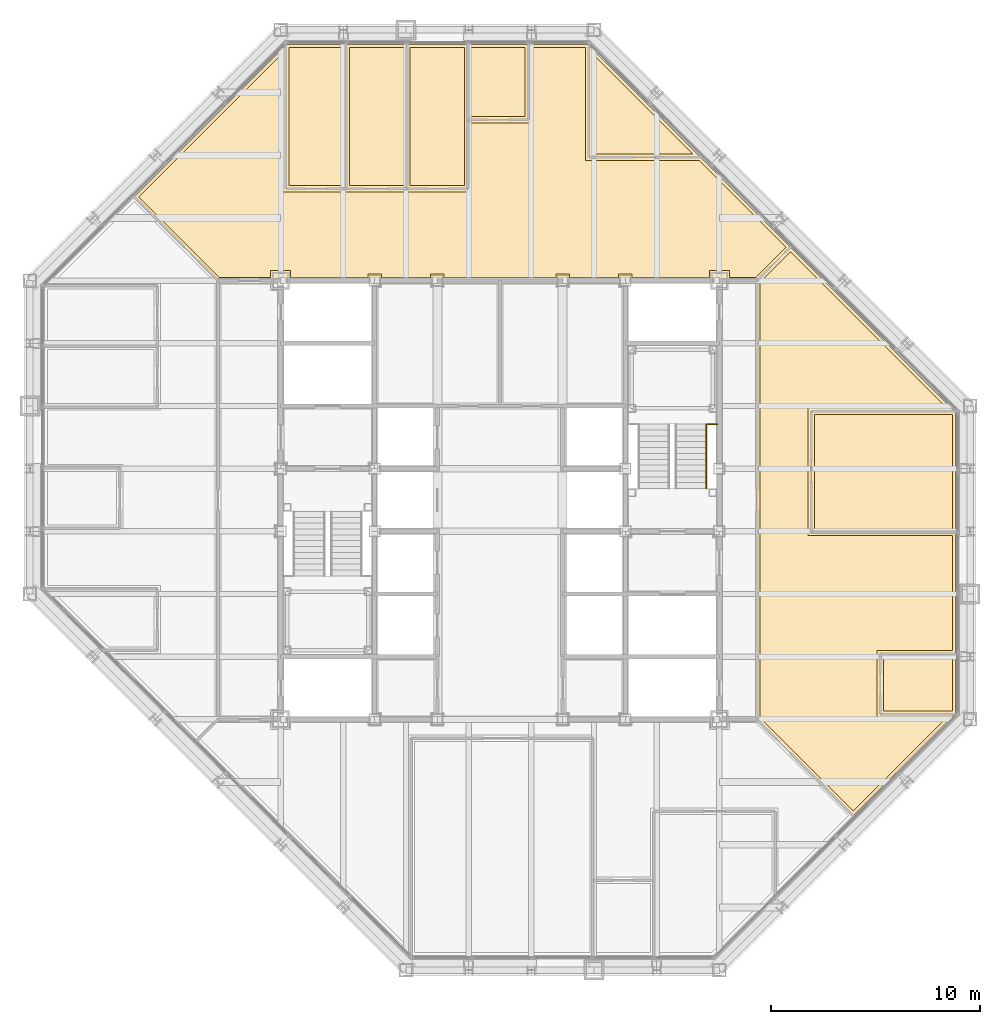
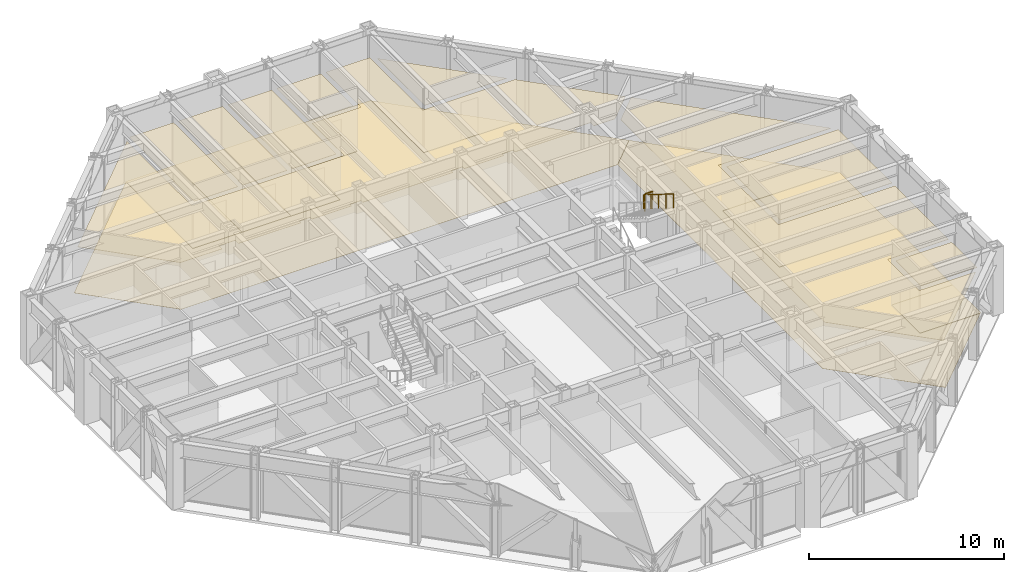
# One storey, part 16 of 16: 18 coverings, 2 railings.
"""IFC4 building model written with IfcOpenShell, lengths in metres."""

from ifc_helpers import new_model, si_unit, direction, frame, origin, origin_2d, place, context, subcontext, project, spatial, polyline, circle, outline, extrude, material, layer, layer_set, type_object, element, save


model = new_model("IFC4")

# Units and contexts
model_context = context("Model", 3, precision=1e-05, world=origin(), true_north=direction((0.0, 1.0)))
body_context = subcontext(model_context, "Body", "Model", "MODEL_VIEW")
ifc_project = project(units=[si_unit("LENGTHUNIT", "METRE"), si_unit("AREAUNIT", "SQUARE_METRE"), si_unit("VOLUMEUNIT", "CUBIC_METRE"), si_unit("PLANEANGLEUNIT", "RADIAN"), si_unit("MASSUNIT", "GRAM", prefix="KILO")], contexts=[model_context])

# Site, building, storey
site_placement = place(None, origin())
site = spatial("IfcSite", under=ifc_project, at=site_placement, CompositionType="ELEMENT")
building_placement = place(site_placement, origin())
building = spatial("IfcBuilding", under=site, at=building_placement, Name="Chuquiago Exchange Tower", CompositionType="ELEMENT")
storey_placement = place(building_placement, frame((0.0, 0.0, 230.699951171875)))
storey = spatial("IfcBuildingStorey", under=building, at=storey_placement, Name="L51", CompositionType="ELEMENT", Elevation=230.699951171875)

# Coverings
ifc_material_1 = material(Name="Mineral fibre tile, 600 x 600, on pale metal grid", Category="mineral fibre")
ifc_layer_1 = layer(ifc_material_1, 0.02001953125)
ifc_layer_set_1 = layer_set([ifc_layer_1], Name="CL1 suspended tile ceiling 20")
covering_type_1 = type_object("IfcCoveringType", Name="CL1 suspended tile ceiling 20", PredefinedType="CEILING", material=ifc_layer_set_1)
covering_1_placement = place(storey_placement, frame((0.0, 0.0, 2.800048828125)))
element("IfcCovering", 1, at=covering_1_placement, inside=storey, type_object=covering_type_1, Name="Ceiling Focus room", PredefinedType="CEILING", context=body_context, shape_type="SweptSolid", body=[
    extrude(outline(polyline([(40.85009765625, 12.3984375), (40.85009765625, 14.9990234375), (44.14990234375, 14.9990234375), (44.14990234375, 12.3984375), (40.85009765625, 12.3984375)])), origin(), (0.0, 0.0, 1.0), 0.02001953125),
])
covering_2_placement = place(storey_placement, frame((0.0, 0.0, 2.800048828125)))
element("IfcCovering", 2, at=covering_2_placement, inside=storey, type_object=covering_type_1, Name="Ceiling Research office", PredefinedType="CEILING", context=body_context, shape_type="SweptSolid", body=[
    extrude(outline(polyline([(44.14990234375, 21.100341796875), (37.550048828125, 21.100341796875), (37.550048828125, 26.6015625), (44.14990234375, 26.6015625), (44.14990234375, 21.100341796875)])), origin(), (0.0, 0.0, 1.0), 0.02001953125),
])
covering_3_placement = place(storey_placement, frame((0.0, 0.0, 2.800048828125)))
element("IfcCovering", 3, at=covering_3_placement, inside=storey, type_object=covering_type_1, Name="Ceiling Research office", PredefinedType="CEILING", context=body_context, shape_type="SweptSolid", body=[
    extrude(outline(polyline([(14.9990234375, 44.14990234375), (14.9990234375, 37.550048828125), (12.3984375, 37.550048828125), (12.3984375, 44.14990234375), (14.9990234375, 44.14990234375)])), origin(), (0.0, 0.0, 1.0), 0.02001953125),
])
covering_4_placement = place(storey_placement, frame((0.0, 0.0, 2.800048828125)))
element("IfcCovering", 4, at=covering_4_placement, inside=storey, type_object=covering_type_1, Name="Ceiling Research office", PredefinedType="CEILING", context=body_context, shape_type="SweptSolid", body=[
    extrude(outline(polyline([(17.899658203125, 37.550048828125), (15.299072265625, 37.550048828125), (15.299072265625, 44.14990234375), (17.899658203125, 44.14990234375), (17.899658203125, 37.550048828125)])), origin(), (0.0, 0.0, 1.0), 0.02001953125),
])
covering_5_placement = place(storey_placement, frame((0.0, 0.0, 2.800048828125)))
element("IfcCovering", 5, at=covering_5_placement, inside=storey, type_object=covering_type_1, Name="Ceiling Research office", PredefinedType="CEILING", context=body_context, shape_type="SweptSolid", body=[
    extrude(outline(polyline([(20.80029296875, 37.550048828125), (18.19970703125, 37.550048828125), (18.19970703125, 44.14990234375), (20.80029296875, 44.14990234375), (20.80029296875, 37.550048828125)])), origin(), (0.0, 0.0, 1.0), 0.02001953125),
])
covering_6_placement = place(storey_placement, frame((0.0, 0.0, 2.800048828125)))
element("IfcCovering", 6, at=covering_6_placement, inside=storey, type_object=covering_type_1, Name="Ceiling Focus room", PredefinedType="CEILING", context=body_context, shape_type="SweptSolid", body=[
    extrude(outline(polyline([(23.700927734375, 40.85009765625), (21.100341796875, 40.85009765625), (21.100341796875, 44.14990234375), (23.700927734375, 44.14990234375), (23.700927734375, 40.85009765625)])), origin(), (0.0, 0.0, 1.0), 0.02001953125),
])
covering_7_placement = place(storey_placement, frame((0.0, 0.0, 2.800048828125)))
element("IfcCovering", 7, at=covering_7_placement, inside=storey, type_object=covering_type_1, Name="Ceiling Meeting room", PredefinedType="CEILING", context=body_context, shape_type="SweptSolid", body=[
    extrude(outline(polyline([(26.901611328125, 39.050048828125), (26.901611328125, 43.896484375), (31.748046875, 39.050048828125), (26.901611328125, 39.050048828125)])), origin(), (0.0, 0.0, 1.0), 0.02001953125),
])
covering_8_placement = place(storey_placement, frame((0.0, 0.0, 2.800048828125)))
element("IfcCovering", 8, at=covering_8_placement, inside=storey, type_object=covering_type_1, Name="Ceiling Open office north", PredefinedType="CEILING", context=body_context, shape_type="SweptSolid", body=[
    extrude(outline(polyline([(12.098388671875, 37.25), (21.100341796875, 37.25), (21.100341796875, 40.550048828125), (24.0009765625, 40.550048828125), (24.0009765625, 44.14990234375), (26.6015625, 44.14990234375), (26.6015625, 38.75), (32.048095703125, 38.75), (36.192626953125, 34.60546875), (34.7373046875, 33.14990234375), (33.47509765625, 33.14990234375), (33.47509765625, 33.47509765625), (32.52490234375, 33.47509765625), (32.52490234375, 33.14990234375), (28.824951171875, 33.14990234375), (28.824951171875, 33.324951171875), (28.175048828125, 33.324951171875), (28.175048828125, 33.14990234375), (25.824951171875, 33.14990234375), (25.824951171875, 33.324951171875), (25.175048828125, 33.324951171875), (25.175048828125, 33.14990234375), (19.824951171875, 33.14990234375), (19.824951171875, 33.324951171875), (19.175048828125, 33.324951171875), (19.175048828125, 33.14990234375), (16.824951171875, 33.14990234375), (16.824951171875, 33.324951171875), (16.175048828125, 33.324951171875), (16.175048828125, 33.14990234375), (12.47509765625, 33.14990234375), (12.47509765625, 33.47509765625), (11.52490234375, 33.47509765625), (11.52490234375, 33.14990234375), (9.0625, 33.14990234375), (5.20751953125, 37.00537109375), (12.098388671875, 43.896484375), (12.098388671875, 37.25)])), origin(), (0.0, 0.0, 1.0), 0.02001953125),
])
covering_9_placement = place(storey_placement, frame((0.0, 0.0, 2.800048828125)))
element("IfcCovering", 9, at=covering_9_placement, inside=storey, type_object=covering_type_1, Name="Ceiling Open office east", PredefinedType="CEILING", context=body_context, shape_type="SweptSolid", body=[
    extrude(outline(polyline([(39.405517578125, 7.607421875), (34.949951171875, 12.0625), (34.949951171875, 32.9375), (36.405517578125, 34.392578125), (43.896484375, 26.901611328125), (37.25, 26.901611328125), (37.25, 20.80029296875), (44.14990234375, 20.80029296875), (44.14990234375, 15.299072265625), (40.550048828125, 15.299072265625), (40.550048828125, 12.098388671875), (43.896484375, 12.098388671875), (39.405517578125, 7.607421875)])), origin(), (0.0, 0.0, 1.0), 0.02001953125),
])
ifc_material_2 = material(Name="Carpet tile, 500 x 500, on the floor slab", Category="textile")
ifc_layer_2 = layer(ifc_material_2, 0.010009765625)
ifc_layer_set_2 = layer_set([ifc_layer_2], Name="FL1 carpet tile 10")
covering_type_2 = type_object("IfcCoveringType", Name="FL1 carpet tile 10", PredefinedType="FLOORING", material=ifc_layer_set_2)
covering_10_placement = place(storey_placement, origin())
element("IfcCovering", 10, at=covering_10_placement, inside=storey, type_object=covering_type_2, Name="Floor finish Focus room", PredefinedType="FLOORING", context=body_context, shape_type="SweptSolid", body=[
    extrude(outline(polyline([(44.300048828125, 12.289794921875), (44.258544921875, 12.24853515625), (40.699951171875, 12.24853515625), (40.699951171875, 15.149169921875), (44.300048828125, 15.149169921875), (44.300048828125, 12.289794921875)])), origin(), (0.0, 0.0, 1.0), 0.010009765625),
])
covering_11_placement = place(storey_placement, origin())
element("IfcCovering", 11, at=covering_11_placement, inside=storey, type_object=covering_type_2, Name="Floor finish Research office", PredefinedType="FLOORING", context=body_context, shape_type="SweptSolid", body=[
    extrude(outline(polyline([(44.300048828125, 26.710205078125), (44.300048828125, 20.9501953125), (37.39990234375, 20.9501953125), (37.39990234375, 26.75146484375), (44.258544921875, 26.75146484375), (44.300048828125, 26.710205078125)])), origin(), (0.0, 0.0, 1.0), 0.010009765625),
])
covering_12_placement = place(storey_placement, origin())
element("IfcCovering", 12, at=covering_12_placement, inside=storey, type_object=covering_type_2, Name="Floor finish Research office", PredefinedType="FLOORING", context=body_context, shape_type="SweptSolid", body=[
    extrude(outline(polyline([(12.289794921875, 44.300048828125), (15.149169921875, 44.300048828125), (15.149169921875, 37.39990234375), (12.24853515625, 37.39990234375), (12.24853515625, 44.258544921875), (12.289794921875, 44.300048828125)])), origin(), (0.0, 0.0, 1.0), 0.010009765625),
])
covering_13_placement = place(storey_placement, origin())
element("IfcCovering", 13, at=covering_13_placement, inside=storey, type_object=covering_type_2, Name="Floor finish Research office", PredefinedType="FLOORING", context=body_context, shape_type="SweptSolid", body=[
    extrude(outline(polyline([(18.0498046875, 44.300048828125), (18.0498046875, 37.39990234375), (15.149169921875, 37.39990234375), (15.149169921875, 44.300048828125), (18.0498046875, 44.300048828125)])), origin(), (0.0, 0.0, 1.0), 0.010009765625),
])
covering_14_placement = place(storey_placement, origin())
element("IfcCovering", 14, at=covering_14_placement, inside=storey, type_object=covering_type_2, Name="Floor finish Research office", PredefinedType="FLOORING", context=body_context, shape_type="SweptSolid", body=[
    extrude(outline(polyline([(20.9501953125, 44.300048828125), (20.9501953125, 37.39990234375), (18.0498046875, 37.39990234375), (18.0498046875, 44.300048828125), (20.9501953125, 44.300048828125)])), origin(), (0.0, 0.0, 1.0), 0.010009765625),
])
covering_15_placement = place(storey_placement, origin())
element("IfcCovering", 15, at=covering_15_placement, inside=storey, type_object=covering_type_2, Name="Floor finish Focus room", PredefinedType="FLOORING", context=body_context, shape_type="SweptSolid", body=[
    extrude(outline(polyline([(23.850830078125, 44.300048828125), (23.850830078125, 40.699951171875), (20.9501953125, 40.699951171875), (20.9501953125, 44.300048828125), (23.850830078125, 44.300048828125)])), origin(), (0.0, 0.0, 1.0), 0.010009765625),
])
covering_16_placement = place(storey_placement, origin())
element("IfcCovering", 16, at=covering_16_placement, inside=storey, type_object=covering_type_2, Name="Floor finish Meeting room", PredefinedType="FLOORING", context=body_context, shape_type="SweptSolid", body=[
    extrude(outline(polyline([(32.110107421875, 38.89990234375), (26.75146484375, 38.89990234375), (26.75146484375, 44.258544921875), (32.110107421875, 38.89990234375)])), origin(), (0.0, 0.0, 1.0), 0.010009765625),
])
covering_17_placement = place(storey_placement, origin())
element("IfcCovering", 17, at=covering_17_placement, inside=storey, type_object=covering_type_2, Name="Floor finish Open office north", PredefinedType="FLOORING", context=body_context, shape_type="SweptSolid", body=[
    extrude(outline(polyline([(12.289794921875, 44.300048828125), (12.24853515625, 44.258544921875), (12.24853515625, 37.39990234375), (20.9501953125, 37.39990234375), (20.9501953125, 40.699951171875), (23.850830078125, 40.699951171875), (23.850830078125, 44.300048828125), (26.710205078125, 44.300048828125), (26.75146484375, 44.258544921875), (26.75146484375, 38.89990234375), (32.110107421875, 38.89990234375), (36.40478515625, 34.60546875), (34.799560546875, 33.0), (9.00048828125, 33.0), (4.995361328125, 37.00537109375), (12.289794921875, 44.300048828125)])), origin(), (0.0, 0.0, 1.0), 0.010009765625),
])
covering_18_placement = place(storey_placement, origin())
element("IfcCovering", 18, at=covering_18_placement, inside=storey, type_object=covering_type_2, Name="Floor finish Open office east", PredefinedType="FLOORING", context=body_context, shape_type="SweptSolid", body=[
    extrude(outline(polyline([(44.258544921875, 26.75146484375), (37.39990234375, 26.75146484375), (37.39990234375, 20.9501953125), (44.300048828125, 20.9501953125), (44.300048828125, 15.149169921875), (40.699951171875, 15.149169921875), (40.699951171875, 12.24853515625), (44.258544921875, 12.24853515625), (44.300048828125, 12.289794921875), (39.405517578125, 7.395263671875), (34.800048828125, 12.00048828125), (34.800048828125, 32.99951171875), (36.405517578125, 34.604736328125), (44.258544921875, 26.75146484375)])), origin(), (0.0, 0.0, 1.0), 0.010009765625),
])

# Railings
ifc_material_3 = material(Name="Pale metal guard with safety glass infill", Category="glass")
railing_type_1 = type_object("IfcRailingType", Name="GR1 guard 1100", PredefinedType="GUARDRAIL", material=ifc_material_3)
railing_1_placement = place(storey_placement, frame((32.445068359375, 26.1298828125, 2.10009765625)))
element("IfcRailing", 19, at=railing_1_placement, inside=storey, type_object=railing_type_1, Name="Guard ST2 L51 landing 2", PredefinedType="GUARDRAIL", context=body_context, shape_type="SweptSolid", body=[
    extrude(circle(Radius=0.02392578125, at=origin_2d()), frame((0.0, 0.0, 1.076171875), z_axis=(1.0, 0.0, 0.0), x_axis=(0.0, 1.0, 0.0)), (0.0, 0.0, 1.0), 0.454833984375),
    extrude(circle(Radius=0.02099609375, at=origin_2d()), origin(), (0.0, 0.0, 1.0), 1.052001953125),
    extrude(circle(Radius=0.02099609375, at=origin_2d()), frame((0.454833984375, 0.0, 0.0)), (0.0, 0.0, 1.0), 1.052001953125),
])
ifc_material_4 = material(Name="Pale metal handrail", Category="steel")
railing_type_2 = type_object("IfcRailingType", Name="HR1 handrail 900", PredefinedType="HANDRAIL", material=ifc_material_4)
railing_2_placement = place(storey_placement, frame((32.364990234375, 26.1298828125, 2.275146484375)))
element("IfcRailing", 20, at=railing_2_placement, inside=storey, type_object=railing_type_2, Name="Handrail ST2 L51 flight 2", PredefinedType="HANDRAIL", context=body_context, shape_type="SweptSolid", body=[
    extrude(circle(Radius=0.02392578125, at=origin_2d()), frame((0.0, 0.0, 0.8759765625), z_axis=(0.0, -0.848009633417, 0.529980812513), x_axis=(1.0, 0.0, 0.0)), (0.0, 0.0, 1.0), 3.6318359375),
    extrude(circle(Radius=0.02099609375, at=origin_2d()), origin(), (0.0, 0.0, 1.0), 0.851806640625),
    extrude(circle(Radius=0.02099609375, at=origin_2d()), frame((0.0, -0.77001953125, 0.481201171875)), (0.0, 0.0, 1.0), 0.851806640625),
    extrude(circle(Radius=0.02099609375, at=origin_2d()), frame((0.0, -1.5400390625, 0.96240234375)), (0.0, 0.0, 1.0), 0.851806640625),
    extrude(circle(Radius=0.02099609375, at=origin_2d()), frame((0.0, -2.309814453125, 1.443603515625)), (0.0, 0.0, 1.0), 0.851806640625),
    extrude(circle(Radius=0.02099609375, at=origin_2d()), frame((0.0, -3.079833984375, 1.9248046875)), (0.0, 0.0, 1.0), 0.851806640625),
])

save(model, "model.ifc")
